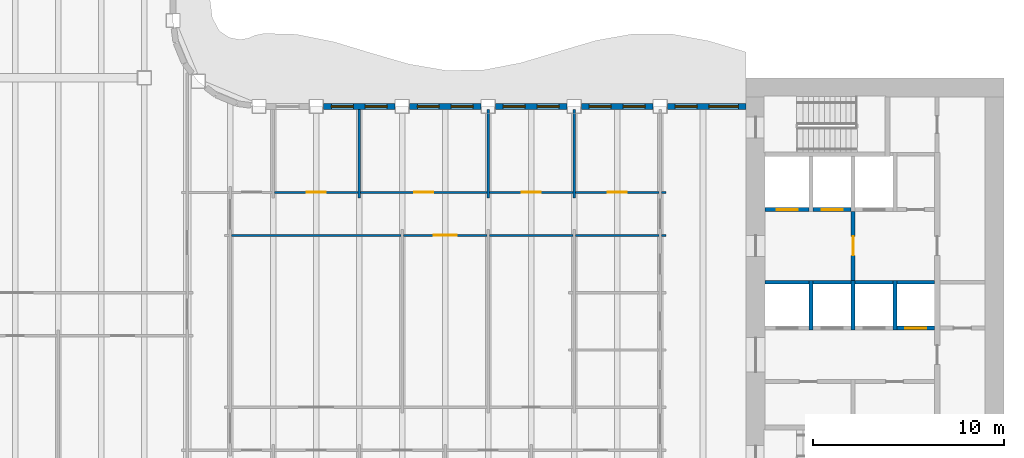
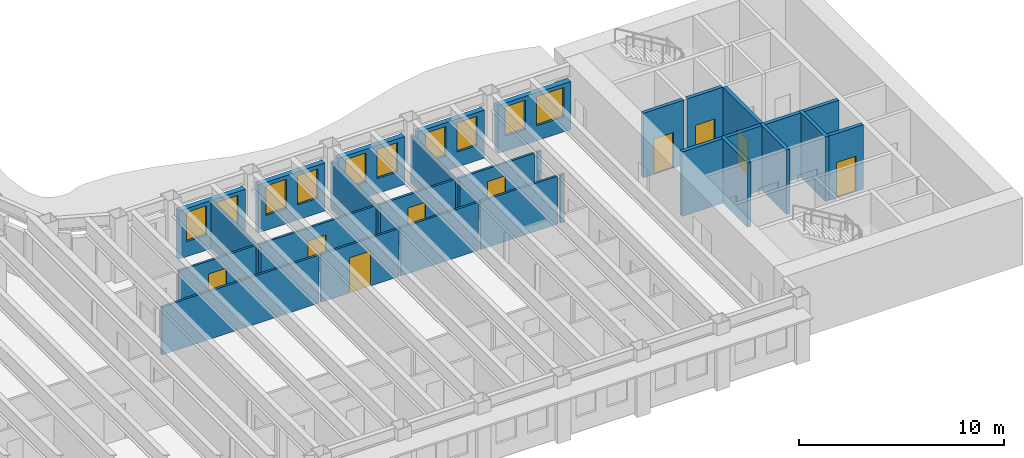
# One storey, part 7 of 17: 29 walls, 10 windows, 9 doors, 19 openings.
"""IFC4 building model written with IfcOpenShell, lengths in metres."""

from ifc_helpers import new_model, si_unit, direction, frame, frame_2d, origin, place, context, subcontext, project, spatial, rectangle, extrude, material, layer, layer_set, type_object, element, fill, save


model = new_model("IFC4")

# Units and contexts
model_context = context("Model", 3, precision=1e-05, world=origin(), true_north=direction((0.0, 1.0)))
body_context = subcontext(model_context, "Body", "Model", "MODEL_VIEW")
ifc_project = project(units=[si_unit("LENGTHUNIT", "METRE"), si_unit("AREAUNIT", "SQUARE_METRE"), si_unit("VOLUMEUNIT", "CUBIC_METRE"), si_unit("PLANEANGLEUNIT", "RADIAN"), si_unit("MASSUNIT", "GRAM", prefix="KILO")], contexts=[model_context])

# Site, building, storey
site_placement = place(None, origin())
site = spatial("IfcSite", under=ifc_project, at=site_placement, CompositionType="ELEMENT")
building_placement = place(site_placement, origin())
building = spatial("IfcBuilding", under=site, at=building_placement, Name="Sennacour Bend Tower", CompositionType="ELEMENT")
storey_placement = place(building_placement, frame((0.0, 0.0, 199.0)))
storey = spatial("IfcBuildingStorey", under=building, at=storey_placement, Name="L45", CompositionType="ELEMENT", Elevation=199.0)

# Walls
ifc_material_1 = material(Name="Plasterboard partition on steel studs", Category="steel")
ifc_layer_1 = layer(ifc_material_1, 0.1201171875, Name="Plasterboard partition on steel studs", Category="steel")
ifc_layer_set_1 = layer_set([ifc_layer_1], Name="Plasterboard partition on steel studs")
wall_type_1 = type_object("IfcWallType", Name="Partition 120", PredefinedType="PARTITIONING", material=ifc_layer_set_1)
for number, where, z_axis, x_axis, name in (
    (1, (33.75, 16.199951171875, 0.0), (0.0, 0.0, 1.0), (0.0, 1.0, 0.0), "P-L45-W032a"),
    (2, (40.5, 16.199951171875, 0.0), (0.0, 0.0, 1.0), (0.0, 1.0, 0.0), "P-L45-W036a"),
    (3, (45.0, 16.199951171875, 0.0), (0.0, 0.0, 1.0), (0.0, 1.0, 0.0), "P-L45-W039a"),
):
    element("IfcWall", number, at=place(storey_placement, frame(where, z_axis=z_axis, x_axis=x_axis)), inside=storey, type_object=wall_type_1, Name=name, PredefinedType="PARTITIONING", context=body_context, shape_type="SweptSolid", body=[
        extrude(rectangle(XDim=4.650146484375, YDim=0.1201171875, at=frame_2d((2.3251953125, 0.0))), origin(), (0.0, 0.0, 1.0), 2.8701171875),
    ])
wall_1_placement = place(storey_placement, frame((27.06005859375, 14.25, 0.0), z_axis=(0.0, 0.0, 1.0), x_axis=(1.0, 0.0, 0.0)))
element("IfcWall", 4, at=wall_1_placement, inside=storey, type_object=wall_type_1, Name="P-L45-W073ab", PredefinedType="PARTITIONING", context=body_context, shape_type="SweptSolid", body=[
    extrude(rectangle(XDim=8.8798828125, YDim=0.1201171875, at=frame_2d((4.43994140625, 0.0))), origin(), (0.0, 0.0, 1.0), 2.8701171875),
])

# Wall, opening, door
wall_2_placement = place(storey_placement, frame((36.06005859375, 14.25, 0.0), z_axis=(0.0, 0.0, 1.0), x_axis=(1.0, 0.0, 0.0)))
wall_2 = element("IfcWall", 5, at=wall_2_placement, inside=storey, type_object=wall_type_1, Name="P-L45-W073ac", PredefinedType="PARTITIONING", context=body_context, shape_type="SweptSolid", body=[
    extrude(rectangle(XDim=4.3798828125, YDim=0.1201171875, at=frame_2d((2.18994140625, 0.0))), origin(), (0.0, 0.0, 1.0), 2.8701171875),
])
opening_1_placement = place(wall_2_placement, frame((1.58984375, 0.0, 0.0)))
opening_1 = element("IfcOpeningElement", 6, at=opening_1_placement, cuts=wall_2, Name="Opening MD", PredefinedType="OPENING", context=body_context, shape_type="SweptSolid", body=[
    extrude(rectangle(XDim=1.199951171875, YDim=2.10009765625, at=frame_2d((0.60009765625, 1.050048828125))), frame((0.0, 0.070068359375, 0.0), z_axis=(0.0, -1.0, 0.0), x_axis=(1.0, 0.0, 0.0)), (0.0, 0.0, 1.0), 0.14013671875),
])
ifc_material_2 = material(Name="Timber", Category="wood")
door_type_1 = type_object("IfcDoorType", Name="DR-MEETING-1200", OperationType="NOTDEFINED", PredefinedType="DOOR", material=ifc_material_2)
door_1_placement = place(opening_1_placement, origin())
door_1 = element("IfcDoor", 7, at=door_1_placement, inside=storey, type_object=door_type_1, Name="Door", OperationType="SINGLE_SWING_LEFT", OverallHeight=2.10009765625, OverallWidth=1.199951171875, PredefinedType="DOOR", context=body_context, shape_type="SweptSolid", body=[
    extrude(rectangle(XDim=1.199951171875, YDim=2.10009765625, at=frame_2d((0.60009765625, 1.050048828125))), frame((0.0, 0.02490234375, 0.0), z_axis=(0.0, -1.0, 0.0), x_axis=(1.0, 0.0, 0.0)), (0.0, 0.0, 1.0), 0.050048828125),
])
fill(opening_1, door_1)

# Walls
for number, where, z_axis, x_axis, name in (
    (8, (40.56005859375, 14.25, 0.0), (0.0, 0.0, 1.0), (1.0, 0.0, 0.0), "P-L45-W073ad"),
    (9, (45.06005859375, 14.25, 0.0), (0.0, 0.0, 1.0), (1.0, 0.0, 0.0), "P-L45-W073ae"),
):
    element("IfcWall", number, at=place(storey_placement, frame(where, z_axis=z_axis, x_axis=x_axis)), inside=storey, type_object=wall_type_1, Name=name, PredefinedType="PARTITIONING", context=body_context, shape_type="SweptSolid", body=[
        extrude(rectangle(XDim=4.3798828125, YDim=0.1201171875, at=frame_2d((2.18994140625, 0.0))), origin(), (0.0, 0.0, 1.0), 2.8701171875),
    ])
wall_3_placement = place(storey_placement, frame((49.56005859375, 14.25, 0.0), z_axis=(0.0, 0.0, 1.0), x_axis=(1.0, 0.0, 0.0)))
element("IfcWall", 10, at=wall_3_placement, inside=storey, type_object=wall_type_1, Name="P-L45-W073af", PredefinedType="PARTITIONING", context=body_context, shape_type="SweptSolid", body=[
    extrude(rectangle(XDim=0.239990234375, YDim=0.1201171875, at=frame_2d((0.1201171875, 0.0))), origin(), (0.0, 0.0, 1.0), 2.8701171875),
])

# Wall, opening, door
wall_4_placement = place(storey_placement, frame((29.31005859375, 16.5, 0.0), z_axis=(0.0, 0.0, 1.0), x_axis=(1.0, 0.0, 0.0)))
wall_4 = element("IfcWall", 11, at=wall_4_placement, inside=storey, type_object=wall_type_1, Name="P-L45-W077ad", PredefinedType="PARTITIONING", context=body_context, shape_type="SweptSolid", body=[
    extrude(rectangle(XDim=4.3798828125, YDim=0.1201171875, at=frame_2d((2.18994140625, 0.0))), origin(), (0.0, 0.0, 1.0), 2.8701171875),
])
opening_2_placement = place(wall_4_placement, frame((1.68994140625, 0.0, 0.0)))
opening_2 = element("IfcOpeningElement", 12, at=opening_2_placement, cuts=wall_4, Name="Opening OD2", PredefinedType="OPENING", context=body_context, shape_type="SweptSolid", body=[
    extrude(rectangle(XDim=1.0, YDim=2.10009765625, at=frame_2d((0.5, 1.050048828125))), frame((0.0, 0.070068359375, 0.0), z_axis=(0.0, -1.0, 0.0), x_axis=(1.0, 0.0, 0.0)), (0.0, 0.0, 1.0), 0.14013671875),
])
door_type_2 = type_object("IfcDoorType", Name="DR-OFFICE-1000", OperationType="NOTDEFINED", PredefinedType="DOOR", material=ifc_material_2)
door_2_placement = place(opening_2_placement, origin())
door_2 = element("IfcDoor", 13, at=door_2_placement, inside=storey, type_object=door_type_2, Name="Door", OperationType="SINGLE_SWING_LEFT", OverallHeight=2.10009765625, OverallWidth=1.0, PredefinedType="DOOR", context=body_context, shape_type="SweptSolid", body=[
    extrude(rectangle(XDim=1.0, YDim=2.10009765625, at=frame_2d((0.5, 1.050048828125))), frame((0.0, 0.02490234375, 0.0), z_axis=(0.0, -1.0, 0.0), x_axis=(1.0, 0.0, 0.0)), (0.0, 0.0, 1.0), 0.050048828125),
])
fill(opening_2, door_2)

wall_5_placement = place(storey_placement, frame((33.81005859375, 16.5, 0.0), z_axis=(0.0, 0.0, 1.0), x_axis=(1.0, 0.0, 0.0)))
wall_5 = element("IfcWall", 14, at=wall_5_placement, inside=storey, type_object=wall_type_1, Name="P-L45-W077ae", PredefinedType="PARTITIONING", context=body_context, shape_type="SweptSolid", body=[
    extrude(rectangle(XDim=6.6298828125, YDim=0.1201171875, at=frame_2d((3.31494140625, 0.0))), origin(), (0.0, 0.0, 1.0), 2.8701171875),
])
opening_3_placement = place(wall_5_placement, frame((2.81494140625, 0.0, 0.0)))
opening_3 = element("IfcOpeningElement", 15, at=opening_3_placement, cuts=wall_5, Name="Opening OD2", PredefinedType="OPENING", context=body_context, shape_type="SweptSolid", body=[
    extrude(rectangle(XDim=1.0, YDim=2.10009765625, at=frame_2d((0.5, 1.050048828125))), frame((0.0, 0.070068359375, 0.0), z_axis=(0.0, -1.0, 0.0), x_axis=(1.0, 0.0, 0.0)), (0.0, 0.0, 1.0), 0.14013671875),
])
door_3_placement = place(opening_3_placement, origin())
door_3 = element("IfcDoor", 16, at=door_3_placement, inside=storey, type_object=door_type_2, Name="Door", OperationType="SINGLE_SWING_LEFT", OverallHeight=2.10009765625, OverallWidth=1.0, PredefinedType="DOOR", context=body_context, shape_type="SweptSolid", body=[
    extrude(rectangle(XDim=1.0, YDim=2.10009765625, at=frame_2d((0.5, 1.050048828125))), frame((0.0, 0.02490234375, 0.0), z_axis=(0.0, -1.0, 0.0), x_axis=(1.0, 0.0, 0.0)), (0.0, 0.0, 1.0), 0.050048828125),
])
fill(opening_3, door_3)

wall_6_placement = place(storey_placement, frame((40.56005859375, 16.5, 0.0), z_axis=(0.0, 0.0, 1.0), x_axis=(1.0, 0.0, 0.0)))
wall_6 = element("IfcWall", 17, at=wall_6_placement, inside=storey, type_object=wall_type_1, Name="P-L45-W077af", PredefinedType="PARTITIONING", context=body_context, shape_type="SweptSolid", body=[
    extrude(rectangle(XDim=4.3798828125, YDim=0.1201171875, at=frame_2d((2.18994140625, 0.0))), origin(), (0.0, 0.0, 1.0), 2.8701171875),
])
opening_4_placement = place(wall_6_placement, frame((1.68994140625, 0.0, 0.0)))
opening_4 = element("IfcOpeningElement", 18, at=opening_4_placement, cuts=wall_6, Name="Opening OD2", PredefinedType="OPENING", context=body_context, shape_type="SweptSolid", body=[
    extrude(rectangle(XDim=1.0, YDim=2.10009765625, at=frame_2d((0.5, 1.050048828125))), frame((0.0, 0.070068359375, 0.0), z_axis=(0.0, -1.0, 0.0), x_axis=(1.0, 0.0, 0.0)), (0.0, 0.0, 1.0), 0.14013671875),
])
door_4_placement = place(opening_4_placement, origin())
door_4 = element("IfcDoor", 19, at=door_4_placement, inside=storey, type_object=door_type_2, Name="Door", OperationType="SINGLE_SWING_LEFT", OverallHeight=2.10009765625, OverallWidth=1.0, PredefinedType="DOOR", context=body_context, shape_type="SweptSolid", body=[
    extrude(rectangle(XDim=1.0, YDim=2.10009765625, at=frame_2d((0.5, 1.050048828125))), frame((0.0, 0.02490234375, 0.0), z_axis=(0.0, -1.0, 0.0), x_axis=(1.0, 0.0, 0.0)), (0.0, 0.0, 1.0), 0.050048828125),
])
fill(opening_4, door_4)

wall_7_placement = place(storey_placement, frame((45.06005859375, 16.5, 0.0), z_axis=(0.0, 0.0, 1.0), x_axis=(1.0, 0.0, 0.0)))
wall_7 = element("IfcWall", 20, at=wall_7_placement, inside=storey, type_object=wall_type_1, Name="P-L45-W077ag", PredefinedType="PARTITIONING", context=body_context, shape_type="SweptSolid", body=[
    extrude(rectangle(XDim=4.3798828125, YDim=0.1201171875, at=frame_2d((2.18994140625, 0.0))), origin(), (0.0, 0.0, 1.0), 2.8701171875),
])
opening_5_placement = place(wall_7_placement, frame((1.68994140625, 0.0, 0.0)))
opening_5 = element("IfcOpeningElement", 21, at=opening_5_placement, cuts=wall_7, Name="Opening MD2", PredefinedType="OPENING", context=body_context, shape_type="SweptSolid", body=[
    extrude(rectangle(XDim=1.0, YDim=2.10009765625, at=frame_2d((0.5, 1.050048828125))), frame((0.0, 0.070068359375, 0.0), z_axis=(0.0, -1.0, 0.0), x_axis=(1.0, 0.0, 0.0)), (0.0, 0.0, 1.0), 0.14013671875),
])
door_type_3 = type_object("IfcDoorType", Name="DR-MEETING-1000", OperationType="NOTDEFINED", PredefinedType="DOOR", material=ifc_material_2)
door_5_placement = place(opening_5_placement, origin())
door_5 = element("IfcDoor", 22, at=door_5_placement, inside=storey, type_object=door_type_3, Name="Door", OperationType="SINGLE_SWING_LEFT", OverallHeight=2.10009765625, OverallWidth=1.0, PredefinedType="DOOR", context=body_context, shape_type="SweptSolid", body=[
    extrude(rectangle(XDim=1.0, YDim=2.10009765625, at=frame_2d((0.5, 1.050048828125))), frame((0.0, 0.02490234375, 0.0), z_axis=(0.0, -1.0, 0.0), x_axis=(1.0, 0.0, 0.0)), (0.0, 0.0, 1.0), 0.050048828125),
])
fill(opening_5, door_5)

# Wall
wall_8_placement = place(storey_placement, frame((49.56005859375, 16.5, 0.0), z_axis=(0.0, 0.0, 1.0), x_axis=(1.0, 0.0, 0.0)))
element("IfcWall", 23, at=wall_8_placement, inside=storey, type_object=wall_type_1, Name="P-L45-W077ah", PredefinedType="PARTITIONING", context=body_context, shape_type="SweptSolid", body=[
    extrude(rectangle(XDim=0.239990234375, YDim=0.1201171875, at=frame_2d((0.1201171875, 0.0))), origin(), (0.0, 0.0, 1.0), 2.8701171875),
])

# Wall, opening, door
ifc_material_3 = material(Name="Fire-rated plasterboard partition on steel studs", Category="steel")
ifc_layer_2 = layer(ifc_material_3, 0.199951171875, Name="Fire-rated plasterboard partition on steel studs", Category="steel")
ifc_layer_set_2 = layer_set([ifc_layer_2], Name="Fire-rated plasterboard partition on steel studs")
wall_type_2 = type_object("IfcWallType", Name="Rated partition 200 EI 90", PredefinedType="PARTITIONING", material=ifc_layer_set_2)
wall_9_placement = place(storey_placement, frame((59.60009765625, 11.89990234375, 0.0), z_axis=(0.0, 0.0, 1.0), x_axis=(0.0, 1.0, 0.0)))
wall_9 = element("IfcWall", 24, at=wall_9_placement, inside=storey, type_object=wall_type_2, Name="P-L45-W046", PredefinedType="PARTITIONING", context=body_context, shape_type="SweptSolid", body=[
    extrude(rectangle(XDim=3.60009765625, YDim=0.199951171875, at=frame_2d((1.800048828125, 0.0))), origin(), (0.0, 0.0, 1.0), 3.85009765625),
])
opening_6_placement = place(wall_9_placement, frame((1.300048828125, 0.0, 0.0)))
opening_6 = element("IfcOpeningElement", 25, at=opening_6_placement, cuts=wall_9, Name="Opening FD2", PredefinedType="OPENING", context=body_context, shape_type="SweptSolid", body=[
    extrude(rectangle(XDim=1.0, YDim=2.10009765625, at=frame_2d((0.5, 1.050048828125))), frame((0.0, 0.10986328125, 0.0), z_axis=(0.0, -1.0, 0.0), x_axis=(1.0, 0.0, 0.0)), (0.0, 0.0, 1.0), 0.219970703125),
])
ifc_material_4 = material(Name="Painted steel", Category="steel")
door_type_4 = type_object("IfcDoorType", Name="DR-FFL-1000", OperationType="NOTDEFINED", PredefinedType="DOOR", material=ifc_material_4)
door_6_placement = place(opening_6_placement, origin())
door_6 = element("IfcDoor", 26, at=door_6_placement, inside=storey, type_object=door_type_4, Name="Door", OperationType="SINGLE_SWING_LEFT", OverallHeight=2.10009765625, OverallWidth=1.0, PredefinedType="DOOR", context=body_context, shape_type="SweptSolid", body=[
    extrude(rectangle(XDim=1.0, YDim=2.10009765625, at=frame_2d((0.5, 1.050048828125))), frame((0.0, 0.02490234375, 0.0), z_axis=(0.0, -1.0, 0.0), x_axis=(1.0, 0.0, 0.0)), (0.0, 0.0, 1.0), 0.050048828125),
])
fill(opening_6, door_6)

# Wall, openings, windows
ifc_material_5 = material(Name="Warm limestone cladding", Category="masonry")
ifc_layer_3 = layer(ifc_material_5, 0.050048828125, Name="Warm limestone cladding", Category="masonry")
ifc_material_6 = material(Name="Precast concrete C40/50", Category="concrete")
ifc_layer_4 = layer(ifc_material_6, 0.25, Name="Precast concrete C40/50", Category="concrete")
ifc_layer_set_3 = layer_set([ifc_layer_3, ifc_layer_4], Name="Precast concrete C40/50 with limestone cladding")
wall_type_3 = type_object("IfcWallType", Name="STONE-CLAD PRECAST SPANDREL 300", PredefinedType="STANDARD", material=ifc_layer_set_3)
wall_10_placement = place(storey_placement, frame((54.0, 21.0, 0.0), z_axis=(0.0, 0.0, 1.0), x_axis=(-1.0, 0.0, 0.0)))
wall_10 = element("IfcWall", 27, at=wall_10_placement, inside=storey, type_object=wall_type_3, Name="Stone spandrel and pier wall L45 06.00", PredefinedType="STANDARD", context=body_context, shape_type="SweptSolid", body=[
    extrude(rectangle(XDim=4.125, YDim=0.300048828125, at=frame_2d((2.0625, 0.0))), origin(), (0.0, 0.0, 1.0), 2.8701171875),
])
opening_7_placement = place(wall_10_placement, frame((0.39990234375, 0.0, 0.89990234375)))
opening_7 = element("IfcOpeningElement", 28, at=opening_7_placement, cuts=wall_10, Name="Opening W12", PredefinedType="OPENING", context=body_context, shape_type="SweptSolid", body=[
    extrude(rectangle(XDim=1.550048828125, YDim=1.75, at=frame_2d((0.77490234375, 0.875))), frame((0.0, 0.16015625, 0.0), z_axis=(0.0, -1.0, 0.0), x_axis=(1.0, 0.0, 0.0)), (0.0, 0.0, 1.0), 0.320068359375),
])
opening_8_placement = place(wall_10_placement, frame((2.5625, 0.0, 0.89990234375)))
opening_8 = element("IfcOpeningElement", 29, at=opening_8_placement, cuts=wall_10, Name="Opening W23", PredefinedType="OPENING", context=body_context, shape_type="SweptSolid", body=[
    extrude(rectangle(XDim=1.14990234375, YDim=1.75, at=frame_2d((0.574951171875, 0.875))), frame((0.0, 0.16015625, 0.0), z_axis=(0.0, -1.0, 0.0), x_axis=(1.0, 0.0, 0.0)), (0.0, 0.0, 1.0), 0.320068359375),
])
ifc_material_7 = material(Name="Clear low-emissivity glass", Category="glass")
window_type_1 = type_object("IfcWindowType", Name="WIN-RIBBON-1150x1750", PartitioningType="SINGLE_PANEL", PredefinedType="WINDOW", material=ifc_material_7)
window_1_placement = place(opening_8_placement, origin())
window_1 = element("IfcWindow", 30, at=window_1_placement, inside=storey, type_object=window_type_1, Name="Ribbon window L45 06.00.1", OverallHeight=1.75, OverallWidth=1.14990234375, PartitioningType="SINGLE_PANEL", PredefinedType="WINDOW", context=body_context, shape_type="SweptSolid", body=[
    extrude(rectangle(XDim=1.14990234375, YDim=1.75, at=frame_2d((0.574951171875, 0.875))), frame((0.0, 0.030029296875, 0.0), z_axis=(0.0, -1.0, 0.0), x_axis=(1.0, 0.0, 0.0)), (0.0, 0.0, 1.0), 0.06005859375),
])
fill(opening_8, window_1)
window_type_2 = type_object("IfcWindowType", Name="WIN-RIBBON-1550x1750", PartitioningType="SINGLE_PANEL", PredefinedType="WINDOW", material=ifc_material_7)
window_2_placement = place(opening_7_placement, origin())
window_2 = element("IfcWindow", 31, at=window_2_placement, inside=storey, type_object=window_type_2, Name="Ribbon window L45 06.00.0", OverallHeight=1.75, OverallWidth=1.550048828125, PartitioningType="SINGLE_PANEL", PredefinedType="WINDOW", context=body_context, shape_type="SweptSolid", body=[
    extrude(rectangle(XDim=1.550048828125, YDim=1.75, at=frame_2d((0.77490234375, 0.875))), frame((0.0, 0.030029296875, 0.0), z_axis=(0.0, -1.0, 0.0), x_axis=(1.0, 0.0, 0.0)), (0.0, 0.0, 1.0), 0.06005859375),
])
fill(opening_7, window_2)

wall_11_placement = place(storey_placement, frame((49.125, 21.0, 0.0), z_axis=(0.0, 0.0, 1.0), x_axis=(-1.0, 0.0, 0.0)))
wall_11 = element("IfcWall", 32, at=wall_11_placement, inside=storey, type_object=wall_type_3, Name="Stone spandrel and pier wall L45 06.01", PredefinedType="STANDARD", context=body_context, shape_type="SweptSolid", body=[
    extrude(rectangle(XDim=3.75, YDim=0.300048828125, at=frame_2d((1.875, 0.0))), origin(), (0.0, 0.0, 1.0), 2.8701171875),
])
opening_9_placement = place(wall_11_placement, frame((0.41259765625, 0.0, 0.89990234375)))
opening_9 = element("IfcOpeningElement", 33, at=opening_9_placement, cuts=wall_11, Name="Opening W23", PredefinedType="OPENING", context=body_context, shape_type="SweptSolid", body=[
    extrude(rectangle(XDim=1.14990234375, YDim=1.75, at=frame_2d((0.574951171875, 0.875))), frame((0.0, 0.16015625, 0.0), z_axis=(0.0, -1.0, 0.0), x_axis=(1.0, 0.0, 0.0)), (0.0, 0.0, 1.0), 0.320068359375),
])
opening_10_placement = place(wall_11_placement, frame((2.1875, 0.0, 0.89990234375)))
opening_10 = element("IfcOpeningElement", 34, at=opening_10_placement, cuts=wall_11, Name="Opening W23", PredefinedType="OPENING", context=body_context, shape_type="SweptSolid", body=[
    extrude(rectangle(XDim=1.14990234375, YDim=1.75, at=frame_2d((0.574951171875, 0.875))), frame((0.0, 0.16015625, 0.0), z_axis=(0.0, -1.0, 0.0), x_axis=(1.0, 0.0, 0.0)), (0.0, 0.0, 1.0), 0.320068359375),
])
window_3_placement = place(opening_9_placement, origin())
window_3 = element("IfcWindow", 35, at=window_3_placement, inside=storey, type_object=window_type_1, Name="Ribbon window L45 06.01.0", OverallHeight=1.75, OverallWidth=1.14990234375, PartitioningType="SINGLE_PANEL", PredefinedType="WINDOW", context=body_context, shape_type="SweptSolid", body=[
    extrude(rectangle(XDim=1.14990234375, YDim=1.75, at=frame_2d((0.574951171875, 0.875))), frame((0.0, 0.030029296875, 0.0), z_axis=(0.0, -1.0, 0.0), x_axis=(1.0, 0.0, 0.0)), (0.0, 0.0, 1.0), 0.06005859375),
])
fill(opening_9, window_3)
window_4_placement = place(opening_10_placement, origin())
window_4 = element("IfcWindow", 36, at=window_4_placement, inside=storey, type_object=window_type_1, Name="Ribbon window L45 06.01.1", OverallHeight=1.75, OverallWidth=1.14990234375, PartitioningType="SINGLE_PANEL", PredefinedType="WINDOW", context=body_context, shape_type="SweptSolid", body=[
    extrude(rectangle(XDim=1.14990234375, YDim=1.75, at=frame_2d((0.574951171875, 0.875))), frame((0.0, 0.030029296875, 0.0), z_axis=(0.0, -1.0, 0.0), x_axis=(1.0, 0.0, 0.0)), (0.0, 0.0, 1.0), 0.06005859375),
])
fill(opening_10, window_4)

wall_12_placement = place(storey_placement, frame((44.625, 21.0, 0.0), z_axis=(0.0, 0.0, 1.0), x_axis=(-1.0, 0.0, 0.0)))
wall_12 = element("IfcWall", 37, at=wall_12_placement, inside=storey, type_object=wall_type_3, Name="Stone spandrel and pier wall L45 06.02", PredefinedType="STANDARD", context=body_context, shape_type="SweptSolid", body=[
    extrude(rectangle(XDim=3.75, YDim=0.300048828125, at=frame_2d((1.875, 0.0))), origin(), (0.0, 0.0, 1.0), 2.8701171875),
])
opening_11_placement = place(wall_12_placement, frame((0.41259765625, 0.0, 0.89990234375)))
opening_11 = element("IfcOpeningElement", 38, at=opening_11_placement, cuts=wall_12, Name="Opening W23", PredefinedType="OPENING", context=body_context, shape_type="SweptSolid", body=[
    extrude(rectangle(XDim=1.14990234375, YDim=1.75, at=frame_2d((0.574951171875, 0.875))), frame((0.0, 0.16015625, 0.0), z_axis=(0.0, -1.0, 0.0), x_axis=(1.0, 0.0, 0.0)), (0.0, 0.0, 1.0), 0.320068359375),
])
opening_12_placement = place(wall_12_placement, frame((2.1875, 0.0, 0.89990234375)))
opening_12 = element("IfcOpeningElement", 39, at=opening_12_placement, cuts=wall_12, Name="Opening W23", PredefinedType="OPENING", context=body_context, shape_type="SweptSolid", body=[
    extrude(rectangle(XDim=1.14990234375, YDim=1.75, at=frame_2d((0.574951171875, 0.875))), frame((0.0, 0.16015625, 0.0), z_axis=(0.0, -1.0, 0.0), x_axis=(1.0, 0.0, 0.0)), (0.0, 0.0, 1.0), 0.320068359375),
])
window_5_placement = place(opening_11_placement, origin())
window_5 = element("IfcWindow", 40, at=window_5_placement, inside=storey, type_object=window_type_1, Name="Ribbon window L45 06.02.0", OverallHeight=1.75, OverallWidth=1.14990234375, PartitioningType="SINGLE_PANEL", PredefinedType="WINDOW", context=body_context, shape_type="SweptSolid", body=[
    extrude(rectangle(XDim=1.14990234375, YDim=1.75, at=frame_2d((0.574951171875, 0.875))), frame((0.0, 0.030029296875, 0.0), z_axis=(0.0, -1.0, 0.0), x_axis=(1.0, 0.0, 0.0)), (0.0, 0.0, 1.0), 0.06005859375),
])
fill(opening_11, window_5)
window_6_placement = place(opening_12_placement, origin())
window_6 = element("IfcWindow", 41, at=window_6_placement, inside=storey, type_object=window_type_1, Name="Ribbon window L45 06.02.1", OverallHeight=1.75, OverallWidth=1.14990234375, PartitioningType="SINGLE_PANEL", PredefinedType="WINDOW", context=body_context, shape_type="SweptSolid", body=[
    extrude(rectangle(XDim=1.14990234375, YDim=1.75, at=frame_2d((0.574951171875, 0.875))), frame((0.0, 0.030029296875, 0.0), z_axis=(0.0, -1.0, 0.0), x_axis=(1.0, 0.0, 0.0)), (0.0, 0.0, 1.0), 0.06005859375),
])
fill(opening_12, window_6)

wall_13_placement = place(storey_placement, frame((40.125, 21.0, 0.0), z_axis=(0.0, 0.0, 1.0), x_axis=(-1.0, 0.0, 0.0)))
wall_13 = element("IfcWall", 42, at=wall_13_placement, inside=storey, type_object=wall_type_3, Name="Stone spandrel and pier wall L45 06.03", PredefinedType="STANDARD", context=body_context, shape_type="SweptSolid", body=[
    extrude(rectangle(XDim=3.75, YDim=0.300048828125, at=frame_2d((1.875, 0.0))), origin(), (0.0, 0.0, 1.0), 2.8701171875),
])
opening_13_placement = place(wall_13_placement, frame((0.41259765625, 0.0, 0.89990234375)))
opening_13 = element("IfcOpeningElement", 43, at=opening_13_placement, cuts=wall_13, Name="Opening W23", PredefinedType="OPENING", context=body_context, shape_type="SweptSolid", body=[
    extrude(rectangle(XDim=1.14990234375, YDim=1.75, at=frame_2d((0.574951171875, 0.875))), frame((0.0, 0.16015625, 0.0), z_axis=(0.0, -1.0, 0.0), x_axis=(1.0, 0.0, 0.0)), (0.0, 0.0, 1.0), 0.320068359375),
])
opening_14_placement = place(wall_13_placement, frame((2.1875, 0.0, 0.89990234375)))
opening_14 = element("IfcOpeningElement", 44, at=opening_14_placement, cuts=wall_13, Name="Opening W23", PredefinedType="OPENING", context=body_context, shape_type="SweptSolid", body=[
    extrude(rectangle(XDim=1.14990234375, YDim=1.75, at=frame_2d((0.574951171875, 0.875))), frame((0.0, 0.16015625, 0.0), z_axis=(0.0, -1.0, 0.0), x_axis=(1.0, 0.0, 0.0)), (0.0, 0.0, 1.0), 0.320068359375),
])
window_7_placement = place(opening_13_placement, origin())
window_7 = element("IfcWindow", 45, at=window_7_placement, inside=storey, type_object=window_type_1, Name="Ribbon window L45 06.03.0", OverallHeight=1.75, OverallWidth=1.14990234375, PartitioningType="SINGLE_PANEL", PredefinedType="WINDOW", context=body_context, shape_type="SweptSolid", body=[
    extrude(rectangle(XDim=1.14990234375, YDim=1.75, at=frame_2d((0.574951171875, 0.875))), frame((0.0, 0.030029296875, 0.0), z_axis=(0.0, -1.0, 0.0), x_axis=(1.0, 0.0, 0.0)), (0.0, 0.0, 1.0), 0.06005859375),
])
fill(opening_13, window_7)
window_8_placement = place(opening_14_placement, origin())
window_8 = element("IfcWindow", 46, at=window_8_placement, inside=storey, type_object=window_type_1, Name="Ribbon window L45 06.03.1", OverallHeight=1.75, OverallWidth=1.14990234375, PartitioningType="SINGLE_PANEL", PredefinedType="WINDOW", context=body_context, shape_type="SweptSolid", body=[
    extrude(rectangle(XDim=1.14990234375, YDim=1.75, at=frame_2d((0.574951171875, 0.875))), frame((0.0, 0.030029296875, 0.0), z_axis=(0.0, -1.0, 0.0), x_axis=(1.0, 0.0, 0.0)), (0.0, 0.0, 1.0), 0.06005859375),
])
fill(opening_14, window_8)

wall_14_placement = place(storey_placement, frame((35.625, 21.0, 0.0), z_axis=(0.0, 0.0, 1.0), x_axis=(-1.0, 0.0, 0.0)))
wall_14 = element("IfcWall", 47, at=wall_14_placement, inside=storey, type_object=wall_type_3, Name="Stone spandrel and pier wall L45 06.04", PredefinedType="STANDARD", context=body_context, shape_type="SweptSolid", body=[
    extrude(rectangle(XDim=3.75, YDim=0.300048828125, at=frame_2d((1.875, 0.0))), origin(), (0.0, 0.0, 1.0), 2.8701171875),
])
opening_15_placement = place(wall_14_placement, frame((0.41259765625, 0.0, 0.89990234375)))
opening_15 = element("IfcOpeningElement", 48, at=opening_15_placement, cuts=wall_14, Name="Opening W23", PredefinedType="OPENING", context=body_context, shape_type="SweptSolid", body=[
    extrude(rectangle(XDim=1.14990234375, YDim=1.75, at=frame_2d((0.574951171875, 0.875))), frame((0.0, 0.16015625, 0.0), z_axis=(0.0, -1.0, 0.0), x_axis=(1.0, 0.0, 0.0)), (0.0, 0.0, 1.0), 0.320068359375),
])
opening_16_placement = place(wall_14_placement, frame((2.1875, 0.0, 0.89990234375)))
opening_16 = element("IfcOpeningElement", 49, at=opening_16_placement, cuts=wall_14, Name="Opening W23", PredefinedType="OPENING", context=body_context, shape_type="SweptSolid", body=[
    extrude(rectangle(XDim=1.14990234375, YDim=1.75, at=frame_2d((0.574951171875, 0.875))), frame((0.0, 0.16015625, 0.0), z_axis=(0.0, -1.0, 0.0), x_axis=(1.0, 0.0, 0.0)), (0.0, 0.0, 1.0), 0.320068359375),
])
window_9_placement = place(opening_15_placement, origin())
window_9 = element("IfcWindow", 50, at=window_9_placement, inside=storey, type_object=window_type_1, Name="Ribbon window L45 06.04.0", OverallHeight=1.75, OverallWidth=1.14990234375, PartitioningType="SINGLE_PANEL", PredefinedType="WINDOW", context=body_context, shape_type="SweptSolid", body=[
    extrude(rectangle(XDim=1.14990234375, YDim=1.75, at=frame_2d((0.574951171875, 0.875))), frame((0.0, 0.030029296875, 0.0), z_axis=(0.0, -1.0, 0.0), x_axis=(1.0, 0.0, 0.0)), (0.0, 0.0, 1.0), 0.06005859375),
])
fill(opening_15, window_9)
window_10_placement = place(opening_16_placement, origin())
window_10 = element("IfcWindow", 51, at=window_10_placement, inside=storey, type_object=window_type_1, Name="Ribbon window L45 06.04.1", OverallHeight=1.75, OverallWidth=1.14990234375, PartitioningType="SINGLE_PANEL", PredefinedType="WINDOW", context=body_context, shape_type="SweptSolid", body=[
    extrude(rectangle(XDim=1.14990234375, YDim=1.75, at=frame_2d((0.574951171875, 0.875))), frame((0.0, 0.030029296875, 0.0), z_axis=(0.0, -1.0, 0.0), x_axis=(1.0, 0.0, 0.0)), (0.0, 0.0, 1.0), 0.06005859375),
])
fill(opening_16, window_10)

# Walls
ifc_material_8 = material(Name="Concrete C50/60", Category="concrete")
ifc_layer_5 = layer(ifc_material_8, 0.199951171875, Name="Concrete C50/60", Category="concrete")
ifc_layer_set_4 = layer_set([ifc_layer_5], Name="Concrete C50/60")
wall_type_4 = type_object("IfcWallType", Name="Shaft wall 200", PredefinedType="SOLIDWALL", material=ifc_layer_set_4)
for number, where, z_axis, x_axis, name in (
    (52, (57.39990234375, 9.300048828125, 0.0), (0.0, 0.0, 1.0), (0.0, 1.0, 0.0), "P-L45-W042"),
    (53, (59.60009765625, 9.300048828125, 0.0), (0.0, 0.0, 1.0), (0.0, 1.0, 0.0), "P-L45-W045"),
    (54, (61.800048828125, 9.300048828125, 0.0), (0.0, 0.0, 1.0), (0.0, 1.0, 0.0), "P-L45-W050"),
):
    element("IfcWall", number, at=place(storey_placement, frame(where, z_axis=z_axis, x_axis=x_axis)), inside=storey, type_object=wall_type_4, Name=name, PredefinedType="SOLIDWALL", context=body_context, shape_type="SweptSolid", body=[
        extrude(rectangle(XDim=2.599853515625, YDim=0.199951171875, at=frame_2d((1.2998046875, 0.0))), origin(), (0.0, 0.0, 1.0), 3.85009765625),
    ])

# Wall, opening, door
wall_15_placement = place(storey_placement, frame((61.89990234375, 9.39990234375, 0.0), z_axis=(0.0, 0.0, 1.0), x_axis=(1.0, 0.0, 0.0)))
wall_15 = element("IfcWall", 55, at=wall_15_placement, inside=storey, type_object=wall_type_4, Name="P-L45-W067d", PredefinedType="SOLIDWALL", context=body_context, shape_type="SweptSolid", body=[
    extrude(rectangle(XDim=1.9501953125, YDim=0.199951171875, at=frame_2d((0.97509765625, 0.0))), origin(), (0.0, 0.0, 1.0), 3.85009765625),
])
opening_17_placement = place(wall_15_placement, frame((0.425048828125, 0.0, 0.011962890625)))
opening_17 = element("IfcOpeningElement", 56, at=opening_17_placement, cuts=wall_15, Name="Opening LD", PredefinedType="OPENING", context=body_context, shape_type="SweptSolid", body=[
    extrude(rectangle(XDim=1.10009765625, YDim=2.10009765625, at=frame_2d((0.550048828125, 1.050048828125))), frame((0.0, 0.10986328125, 0.0), z_axis=(0.0, -1.0, 0.0), x_axis=(1.0, 0.0, 0.0)), (0.0, 0.0, 1.0), 0.219970703125),
])
ifc_material_9 = material(Name="Stainless steel", Category="steel")
door_type_5 = type_object("IfcDoorType", Name="DR-LANDING-1100", OperationType="NOTDEFINED", PredefinedType="DOOR", material=ifc_material_9)
door_7_placement = place(opening_17_placement, origin())
door_7 = element("IfcDoor", 57, at=door_7_placement, inside=storey, type_object=door_type_5, Name="Lift landing door HA4", OperationType="SLIDING_TO_RIGHT", OverallHeight=2.10009765625, OverallWidth=1.10009765625, PredefinedType="DOOR", context=body_context, shape_type="SweptSolid", body=[
    extrude(rectangle(XDim=1.10009765625, YDim=2.10009765625, at=frame_2d((0.550048828125, 1.050048828125))), frame((0.0, 0.02490234375, 0.0), z_axis=(0.0, -1.0, 0.0), x_axis=(1.0, 0.0, 0.0)), (0.0, 0.0, 1.0), 0.050048828125),
])
fill(opening_17, door_7)

# Walls
wall_16_placement = place(storey_placement, frame((55.0, 11.800048828125, 0.0), z_axis=(0.0, 0.0, 1.0), x_axis=(1.0, 0.0, 0.0)))
element("IfcWall", 58, at=wall_16_placement, inside=storey, type_object=wall_type_4, Name="P-L45-W071a", PredefinedType="SOLIDWALL", context=body_context, shape_type="SweptSolid", body=[
    extrude(rectangle(XDim=2.300048828125, YDim=0.199951171875, at=frame_2d((1.14990234375, 0.0))), origin(), (0.0, 0.0, 1.0), 3.85009765625),
])
for number, where, z_axis, x_axis, name in (
    (59, (57.5, 11.800048828125, 0.0), (0.0, 0.0, 1.0), (1.0, 0.0, 0.0), "P-L45-W071b"),
    (60, (59.699951171875, 11.800048828125, 0.0), (0.0, 0.0, 1.0), (1.0, 0.0, 0.0), "P-L45-W071c"),
):
    element("IfcWall", number, at=place(storey_placement, frame(where, z_axis=z_axis, x_axis=x_axis)), inside=storey, type_object=wall_type_4, Name=name, PredefinedType="SOLIDWALL", context=body_context, shape_type="SweptSolid", body=[
        extrude(rectangle(XDim=2.0, YDim=0.199951171875, at=frame_2d((1.0, 0.0))), origin(), (0.0, 0.0, 1.0), 3.85009765625),
    ])
wall_17_placement = place(storey_placement, frame((61.89990234375, 11.800048828125, 0.0), z_axis=(0.0, 0.0, 1.0), x_axis=(1.0, 0.0, 0.0)))
element("IfcWall", 61, at=wall_17_placement, inside=storey, type_object=wall_type_4, Name="P-L45-W071d", PredefinedType="SOLIDWALL", context=body_context, shape_type="SweptSolid", body=[
    extrude(rectangle(XDim=1.9501953125, YDim=0.199951171875, at=frame_2d((0.97509765625, 0.0))), origin(), (0.0, 0.0, 1.0), 3.85009765625),
])

# Wall, opening, door
wall_18_placement = place(storey_placement, frame((55.0, 15.60009765625, 0.0), z_axis=(0.0, 0.0, 1.0), x_axis=(1.0, 0.0, 0.0)))
wall_18 = element("IfcWall", 62, at=wall_18_placement, inside=storey, type_object=wall_type_4, Name="P-L45-W074a", PredefinedType="SOLIDWALL", context=body_context, shape_type="SweptSolid", body=[
    extrude(rectangle(XDim=2.300048828125, YDim=0.199951171875, at=frame_2d((1.14990234375, 0.0))), origin(), (0.0, 0.0, 1.0), 3.85009765625),
])
opening_18_placement = place(wall_18_placement, frame((0.60009765625, 0.0, 0.011962890625)))
opening_18 = element("IfcOpeningElement", 63, at=opening_18_placement, cuts=wall_18, Name="Opening FLD", PredefinedType="OPENING", context=body_context, shape_type="SweptSolid", body=[
    extrude(rectangle(XDim=1.10009765625, YDim=2.10009765625, at=frame_2d((0.550048828125, 1.050048828125))), frame((0.0, 0.10986328125, 0.0), z_axis=(0.0, -1.0, 0.0), x_axis=(1.0, 0.0, 0.0)), (0.0, 0.0, 1.0), 0.219970703125),
])
door_type_6 = type_object("IfcDoorType", Name="DR-FF-LANDING-1100", OperationType="NOTDEFINED", PredefinedType="DOOR", material=ifc_material_9)
door_8_placement = place(opening_18_placement, origin())
door_8 = element("IfcDoor", 64, at=door_8_placement, inside=storey, type_object=door_type_6, Name="Fire service lift landing door FA1", OperationType="SLIDING_TO_LEFT", OverallHeight=2.10009765625, OverallWidth=1.10009765625, PredefinedType="DOOR", context=body_context, shape_type="SweptSolid", body=[
    extrude(rectangle(XDim=1.10009765625, YDim=2.10009765625, at=frame_2d((0.550048828125, 1.050048828125))), frame((0.0, 0.02490234375, 0.0), z_axis=(0.0, -1.0, 0.0), x_axis=(1.0, 0.0, 0.0)), (0.0, 0.0, 1.0), 0.050048828125),
])
fill(opening_18, door_8)

wall_19_placement = place(storey_placement, frame((57.5, 15.60009765625, 0.0), z_axis=(0.0, 0.0, 1.0), x_axis=(1.0, 0.0, 0.0)))
wall_19 = element("IfcWall", 65, at=wall_19_placement, inside=storey, type_object=wall_type_4, Name="P-L45-W074b", PredefinedType="SOLIDWALL", context=body_context, shape_type="SweptSolid", body=[
    extrude(rectangle(XDim=2.0, YDim=0.199951171875, at=frame_2d((1.0, 0.0))), origin(), (0.0, 0.0, 1.0), 3.85009765625),
])
opening_19_placement = place(wall_19_placement, frame((0.449951171875, 0.0, 0.011962890625)))
opening_19 = element("IfcOpeningElement", 66, at=opening_19_placement, cuts=wall_19, Name="Opening FLD", PredefinedType="OPENING", context=body_context, shape_type="SweptSolid", body=[
    extrude(rectangle(XDim=1.10009765625, YDim=2.10009765625, at=frame_2d((0.550048828125, 1.050048828125))), frame((0.0, 0.10986328125, 0.0), z_axis=(0.0, -1.0, 0.0), x_axis=(1.0, 0.0, 0.0)), (0.0, 0.0, 1.0), 0.219970703125),
])
door_9_placement = place(opening_19_placement, origin())
door_9 = element("IfcDoor", 67, at=door_9_placement, inside=storey, type_object=door_type_6, Name="Fire service lift landing door FA2", OperationType="SLIDING_TO_RIGHT", OverallHeight=2.10009765625, OverallWidth=1.10009765625, PredefinedType="DOOR", context=body_context, shape_type="SweptSolid", body=[
    extrude(rectangle(XDim=1.10009765625, YDim=2.10009765625, at=frame_2d((0.550048828125, 1.050048828125))), frame((0.0, 0.02490234375, 0.0), z_axis=(0.0, -1.0, 0.0), x_axis=(1.0, 0.0, 0.0)), (0.0, 0.0, 1.0), 0.050048828125),
])
fill(opening_19, door_9)

save(model, "model.ifc")
